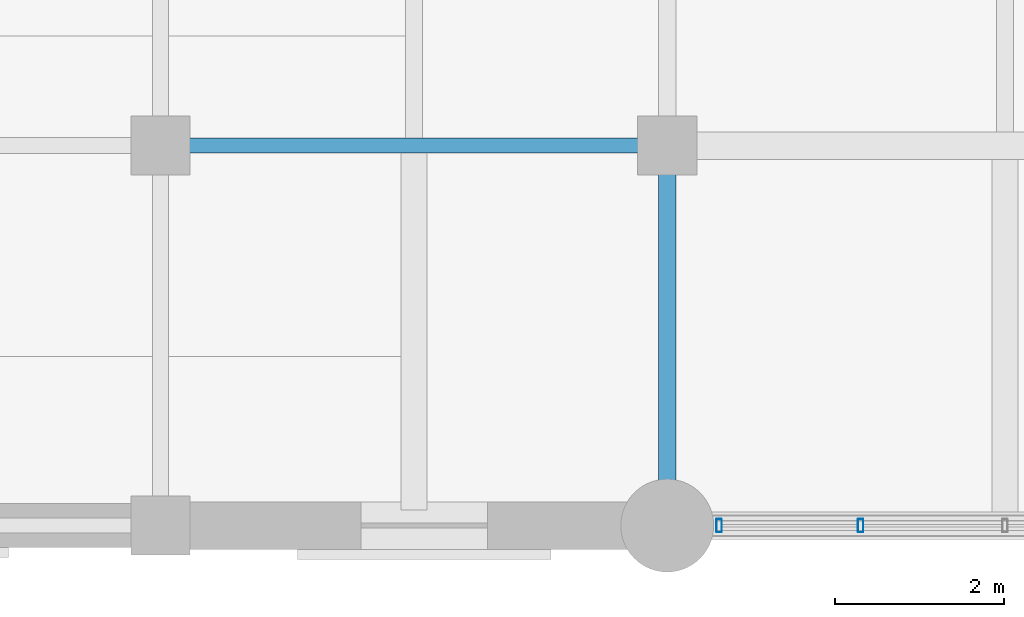
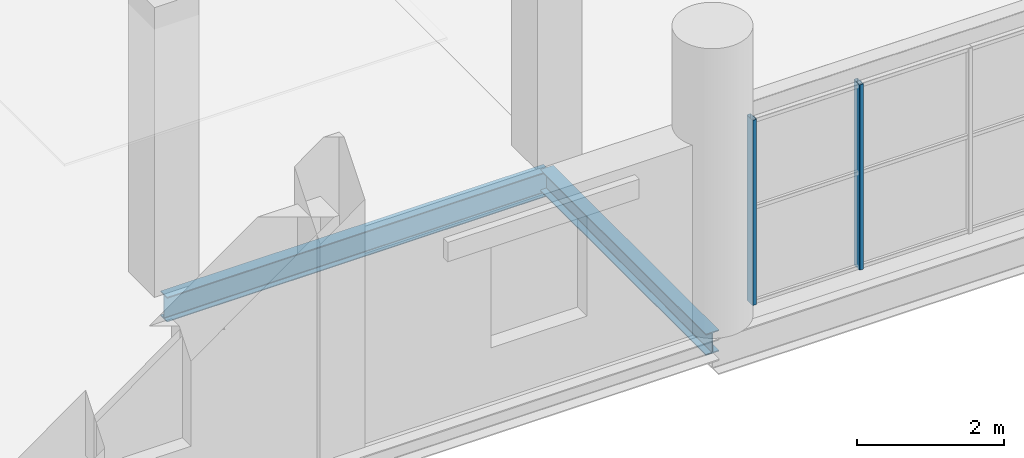
# One storey, part 14 of 114: 2 beams, 2 members, 1 element without a shape of its own.
"""IFC4 building model written with IfcOpenShell, lengths in metres."""

from ifc_helpers import new_model, si_unit, direction, frame, origin, origin_2d, place, context, subcontext, project, spatial, hollow_rectangle, i_section, extrude, material, material_profile, profile_set, type_object, element, aggregate, save


model = new_model("IFC4")

# Units and contexts
model_context = context("Model", 3, precision=1e-05, world=origin(), true_north=direction((0.0, 1.0)))
body_context = subcontext(model_context, "Body", "Model", "MODEL_VIEW")
ifc_project = project(units=[si_unit("LENGTHUNIT", "METRE"), si_unit("AREAUNIT", "SQUARE_METRE"), si_unit("VOLUMEUNIT", "CUBIC_METRE"), si_unit("PLANEANGLEUNIT", "RADIAN"), si_unit("MASSUNIT", "GRAM", prefix="KILO")], contexts=[model_context])

# Site, building, storey
site_placement = place(None, origin())
site = spatial("IfcSite", under=ifc_project, at=site_placement, CompositionType="ELEMENT")
building_placement = place(site_placement, origin())
building = spatial("IfcBuilding", under=site, at=building_placement, Name="Verrall Gate Interchange", CompositionType="ELEMENT")
storey_placement = place(building_placement, frame((0.0, 0.0, 6.60009765625)))
storey = spatial("IfcBuildingStorey", under=building, at=storey_placement, Name="L02", CompositionType="ELEMENT", Elevation=6.60009765625)

# Beams
ifc_material_1 = material(Name="Structural Steel CSA G40.21 350W", Category="steel")
ifc_material_profile_1 = material_profile(ifc_material_1, i_section(OverallWidth=0.178955078125, OverallDepth=0.409912109375, WebThickness=0.0087890625, FlangeThickness=0.014404296875, FilletRadius=0.011962890625, at=origin_2d()), Name="W410x67")
ifc_profile_set_1 = profile_set([ifc_material_profile_1], Name="Structural Steel CSA G40.21 350W")
beam_type_1 = type_object("IfcBeamType", Name="B-12 Structural Beam W410x67", PredefinedType="BEAM", material=ifc_profile_set_1)
beam_1_placement = place(storey_placement, frame((30.0, 4.5, -0.485107421875), z_axis=(1.0, 0.0, 0.0), x_axis=(0.0, 1.0, 0.0)))
element("IfcBeam", 1, at=beam_1_placement, inside=storey, type_object=beam_type_1, Name="L02 Girder BM-L02-1456 (B-12)", PredefinedType="BEAM", context=body_context, shape_type="SweptSolid", body=[
    extrude(i_section(OverallWidth=0.178955078125, OverallDepth=0.409912109375, WebThickness=0.0087890625, FlangeThickness=0.014404296875, FilletRadius=0.011962890625, at=origin_2d()), origin(), (0.0, 0.0, 1.0), 6.0),
])
ifc_material_2 = material(Name="Structural Steel CSA G40.21 350W", Category="steel")
ifc_material_profile_2 = material_profile(ifc_material_2, i_section(OverallWidth=0.205078125, OverallDepth=0.35400390625, WebThickness=0.009521484375, FlangeThickness=0.016845703125, FilletRadius=0.012939453125, at=origin_2d()), Name="W360x79")
ifc_profile_set_2 = profile_set([ifc_material_profile_2], Name="Structural Steel CSA G40.21 350W")
beam_type_2 = type_object("IfcBeamType", Name="B-14 Structural Beam W360x79", PredefinedType="BEAM", material=ifc_profile_set_2)
beam_2_placement = place(storey_placement, frame((36.0, 0.0, -0.45703125), z_axis=(0.0, 1.0, 0.0), x_axis=(-1.0, 0.0, 0.0)))
element("IfcBeam", 2, at=beam_2_placement, inside=storey, type_object=beam_type_2, Name="L02 Girder BM-L02-1718 (B-14)", PredefinedType="BEAM", context=body_context, shape_type="SweptSolid", body=[
    extrude(i_section(OverallWidth=0.205078125, OverallDepth=0.35400390625, WebThickness=0.009521484375, FlangeThickness=0.016845703125, FilletRadius=0.012939453125, at=origin_2d()), origin(), (0.0, 0.0, 1.0), 4.5),
])

# Curtain wall, members
ifc_material_3 = material(Name="Thermally Broken Anodized Aluminium Curtain Wall Framing", Category="aluminium")
curtain_wall_type = type_object("IfcCurtainWallType", Name="CW-14 Unitized Curtain Wall 6836x3070", PredefinedType="NOTDEFINED", material=ifc_material_3)
curtain_wall_placement = place(storey_placement, origin())
curtain_wall = element("IfcCurtainWall", 3, at=curtain_wall_placement, inside=storey, type_object=curtain_wall_type, Name="L02 Unitized Curtain Wall CW-L02-052", PredefinedType="NOTDEFINED")
ifc_material_4 = material(Name="Thermally Broken Anodized Aluminium Curtain Wall Framing", Category="aluminium")
ifc_material_profile_3 = material_profile(ifc_material_4, hollow_rectangle(XDim=0.06494140625, YDim=0.159912109375, WallThickness=0.00390625, InnerFilletRadius=0.00390625, OuterFilletRadius=0.008056640625, at=origin_2d()), Name="CWM160x65x4")
ifc_profile_set_3 = profile_set([ifc_material_profile_3], Name="Thermally Broken Anodized Aluminium Curtain Wall Framing")
member_type = type_object("IfcMemberType", Name="CM-01 Curtain Mullion CWM160x65x4", PredefinedType="MULLION", material=ifc_profile_set_3)
member_1_placement = place(storey_placement, frame((36.614501953125, 0.0, 0.0), z_axis=(0.0, 0.0, 1.0), x_axis=(1.0, 0.0, 0.0)))
member_1 = element("IfcMember", 4, at=member_1_placement, type_object=member_type, Name="CW-L02-052 Mullion 1", PredefinedType="MULLION", context=body_context, shape_type="SweptSolid", body=[
    extrude(hollow_rectangle(XDim=0.06494140625, YDim=0.159912109375, WallThickness=0.00390625, InnerFilletRadius=0.00390625, OuterFilletRadius=0.008056640625, at=origin_2d()), origin(), (0.0, 0.0, 1.0), 3.06982421875),
])
member_2_placement = place(storey_placement, frame((38.291015625, 0.0, 0.0), z_axis=(0.0, 0.0, 1.0), x_axis=(1.0, 0.0, 0.0)))
member_2 = element("IfcMember", 5, at=member_2_placement, type_object=member_type, Name="CW-L02-052 Mullion 2", PredefinedType="MULLION", context=body_context, shape_type="SweptSolid", body=[
    extrude(hollow_rectangle(XDim=0.06494140625, YDim=0.159912109375, WallThickness=0.00390625, InnerFilletRadius=0.00390625, OuterFilletRadius=0.008056640625, at=origin_2d()), origin(), (0.0, 0.0, 1.0), 3.06982421875),
])
aggregate(curtain_wall, [member_1, member_2])

save(model, "model.ifc")
